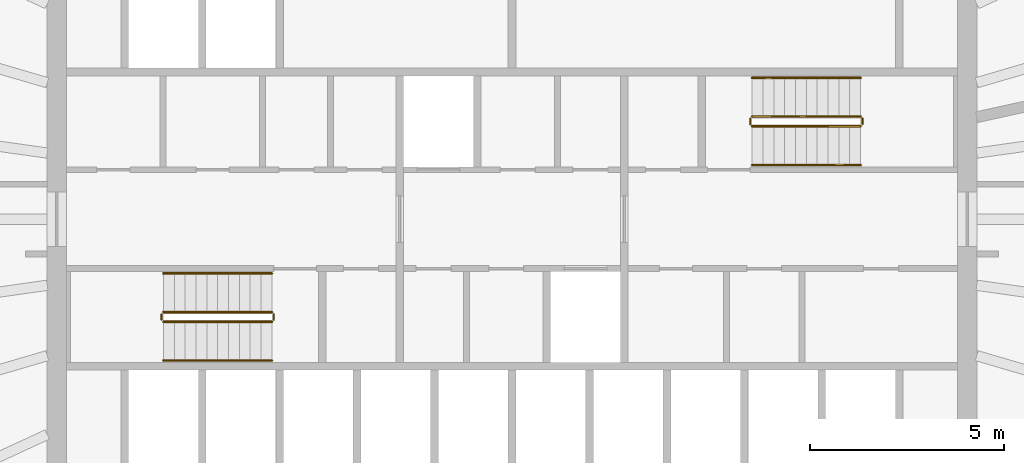
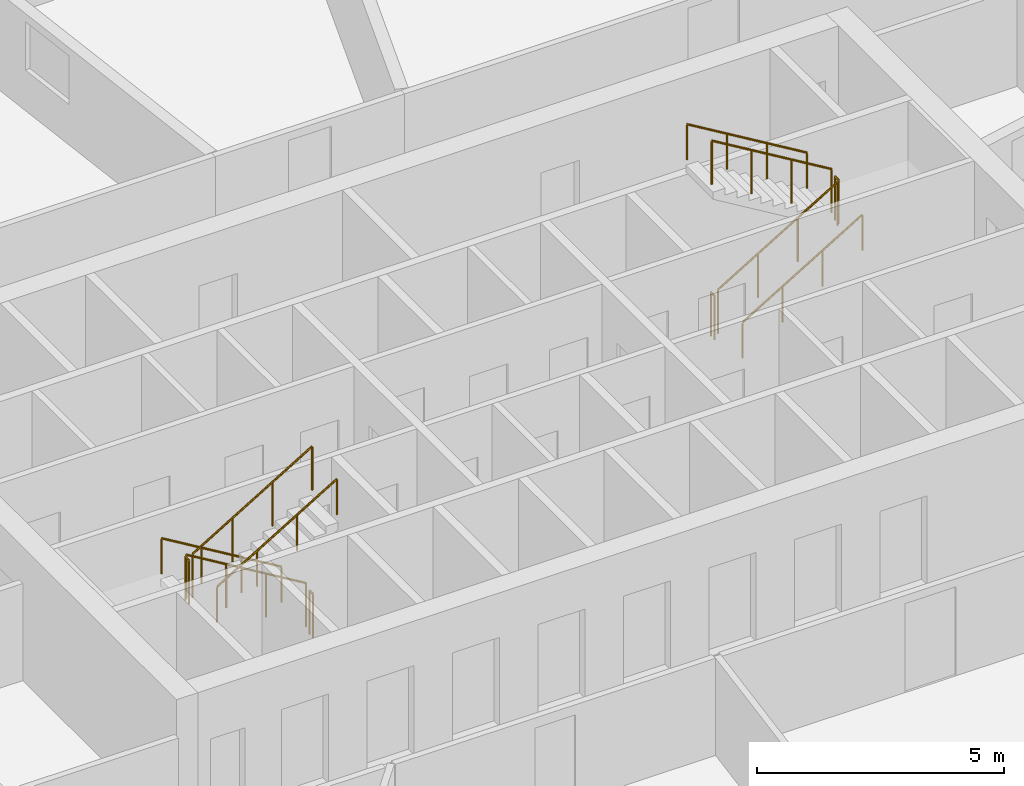
# One storey, part 12 of 12: 12 railings.
"""IFC4 building model written with IfcOpenShell, lengths in metres."""

import ifcopenshell
import ifcopenshell.guid

model = None  # the IFC model being written
_history = None  # IfcOwnerHistory: only IFC2X3 demands one
_inside = {}  # id of a spatial element -> (the spatial element, [elements in it])
_under = {}  # id of a project, library or spatial element -> (it, [spatial elements below it])
_declared = {}  # id of a project -> (the project, [libraries it declares])
_typed = {}  # id of a type object -> (the type object, [elements of that type])
_made_of = {}  # id of a material, layer set ... -> (it, [elements and type objects made of it])


def new_model(schema):
    """Start an empty IFC model of exactly this schema.

    Asked for "IFC4X3", IfcOpenShell would pick the latest addendum, in which some entities
    have other attributes; the version numbers below select the first issue.
    IFC2X3 requires an IfcOwnerHistory on every rooted entity: one is made here for all.
    """
    global model, _history
    if schema == "IFC4X3":
        model = ifcopenshell.file(schema_version=(4, 3, 0, 0))
    else:
        model = ifcopenshell.file(schema=schema)
    _inside.clear()
    _under.clear()
    _declared.clear()
    _typed.clear()
    _made_of.clear()
    _history = None
    if model.schema == "IFC2X3":
        org = make("IfcOrganization", Name="unknown")
        user = make(
            "IfcPersonAndOrganization",
            ThePerson=make("IfcPerson", FamilyName="unknown"),
            TheOrganization=org,
        )
        app = make(
            "IfcApplication",
            ApplicationDeveloper=org,
            Version="unknown",
            ApplicationFullName="unknown",
            ApplicationIdentifier="unknown",
        )
        _history = make(
            "IfcOwnerHistory",
            OwningUser=user,
            OwningApplication=app,
            ChangeAction="ADDED",
            CreationDate=0,
        )
    return model


def make(cls, **values):
    """One entity of the class cls with the attributes given. An attribute that is None is left unset."""
    return model.create_entity(
        cls, **{name: value for name, value in values.items() if value is not None}
    )


def rooted(cls, **values):
    """An entity with a GlobalId (a new one), such as an element, a storey or a relation."""
    return make(cls, GlobalId=ifcopenshell.guid.new(), OwnerHistory=_history, **values)


def si_unit(unit_type, name, prefix=None):
    """IfcSIUnit, for example si_unit("LENGTHUNIT", "METRE", prefix="MILLI")."""
    return make("IfcSIUnit", UnitType=unit_type, Prefix=prefix, Name=name)


def assignment(units):
    """IfcUnitAssignment: the units of a project."""
    return None if units is None else make("IfcUnitAssignment", Units=units)


def point(xyz):
    """IfcCartesianPoint."""
    return None if xyz is None else make("IfcCartesianPoint", Coordinates=xyz)


def direction(xyz):
    """IfcDirection."""
    return None if xyz is None else make("IfcDirection", DirectionRatios=xyz)


def frame(location, z_axis=None, x_axis=None):
    """IfcAxis2Placement3D, a coordinate frame: its origin and axes. An axis left out is left unset."""
    return make(
        "IfcAxis2Placement3D",
        Location=point(location),
        Axis=direction(z_axis),
        RefDirection=direction(x_axis),
    )


def frame_2d(location, x_axis=None):
    """IfcAxis2Placement2D, a coordinate frame in the plane: its origin and x axis."""
    return make(
        "IfcAxis2Placement2D", Location=point(location), RefDirection=direction(x_axis)
    )


def origin():
    """The frame at (0, 0, 0) with its axes left unset."""
    return frame((0.0, 0.0, 0.0))


def origin_2d():
    """The frame at (0, 0) in the plane with its x axis left unset."""
    return frame_2d((0.0, 0.0))


def place(relative_to, where):
    """IfcLocalPlacement: puts the frame where relative to a parent placement (None: the world)."""
    return make(
        "IfcLocalPlacement", PlacementRelTo=relative_to, RelativePlacement=where
    )


def context(
    kind, dimensions, precision=None, world=None, true_north=None, identifier=None
):
    """IfcGeometricRepresentationContext, for example the 3D "Model" context."""
    return make(
        "IfcGeometricRepresentationContext",
        ContextIdentifier=identifier,
        ContextType=kind,
        CoordinateSpaceDimension=dimensions,
        Precision=precision,
        WorldCoordinateSystem=world,
        TrueNorth=true_north,
    )


def subcontext(parent, identifier, kind, view, scale=None):
    """IfcGeometricRepresentationSubContext, for example "Body" below "Model"."""
    return make(
        "IfcGeometricRepresentationSubContext",
        ContextIdentifier=identifier,
        ContextType=kind,
        ParentContext=parent,
        TargetScale=scale,
        TargetView=view,
    )


def project(units=None, contexts=None):
    """IfcProject with its units and contexts."""
    return rooted(
        "IfcProject",
        Name="project",
        RepresentationContexts=contexts,
        UnitsInContext=assignment(units),
    )


def spatial(cls, under=None, at=None, **own):
    """A site, building, storey or space (cls), placed at a placement, below another one or the project."""
    s = rooted(cls, ObjectPlacement=at, **own)
    if under is not None:
        _under.setdefault(under.id(), (under, []))[1].append(s)
    return s


def profile(cls, at=None, kind="AREA", **sizes):
    """A parametric profile (cls). Its sizes go by their IFC names, for example OverallWidth=200.0."""
    return make(cls, ProfileType=kind, Position=at, **sizes)


def circle(**sizes):
    """IfcCircleProfileDef."""
    return profile("IfcCircleProfileDef", **sizes)


def extrude(swept, where, along, depth):
    """IfcExtrudedAreaSolid: the profile swept, set in the frame where, extruded along a direction by depth."""
    return make(
        "IfcExtrudedAreaSolid",
        SweptArea=swept,
        Position=where,
        ExtrudedDirection=direction(along),
        Depth=depth,
    )


def shape(context_of_items, identifier, shape_type, items):
    """IfcShapeRepresentation: the items that make up one representation, for example the "Body"."""
    return make(
        "IfcShapeRepresentation",
        ContextOfItems=context_of_items,
        RepresentationIdentifier=identifier,
        RepresentationType=shape_type,
        Items=items,
    )


def material(Name=None, Category=None):
    """IfcMaterial."""
    return make("IfcMaterial", Name=Name, Category=Category)


def made_of(thing, what):
    """Note that an element or type object is made of a material, layer set ...; save() writes the relation."""
    if what is not None:
        _made_of.setdefault(what.id(), (what, []))[1].append(thing)
    return thing


def type_object(cls, material=None, **own):
    """A type object (cls), such as IfcWallType, which elements share."""
    return made_of(rooted(cls, **own), material)


def element(
    cls,
    number,
    at=None,
    inside=None,
    cuts=None,
    type_object=None,
    material=None,
    context=None,
    identifier="Body",
    shape_type=None,
    held_by="IfcProductDefinitionShape",
    body=None,
    shapes=None,
    **own,
):
    """One element of the class cls, such as IfcWall. Its Tag is "e" and its number.

    at: its placement. inside: the storey or other place that contains it. cuts: it is an
    opening in that element (IfcRelVoidsElement). A single representation is given by context,
    identifier, shape_type and body (its items); several are given by shapes. held_by: the class
    of the entity that holds the representations. save() writes the other relations.
    """
    e = rooted(cls, Tag="e%d" % number, ObjectPlacement=at, **own)
    if body is not None:
        shapes = [shape(context, identifier, shape_type, body)]
    if shapes is not None:
        e.Representation = make(held_by, Representations=shapes)
    if inside is not None:
        _inside.setdefault(inside.id(), (inside, []))[1].append(e)
    if cuts is not None:
        rooted(
            "IfcRelVoidsElement", RelatingBuildingElement=cuts, RelatedOpeningElement=e
        )
    if type_object is not None:
        _typed.setdefault(type_object.id(), (type_object, []))[1].append(e)
    return made_of(e, material)


def aggregate(whole, parts):
    """IfcRelAggregates: a whole, such as a stair, and the parts it consists of."""
    return rooted("IfcRelAggregates", RelatingObject=whole, RelatedObjects=parts)


def save(model, path):
    """Write the relations noted so far, then the file.

    IfcRelAggregates (storeys below a building ...), IfcRelContainedInSpatialStructure (elements
    in a storey), IfcRelDefinesByType, IfcRelAssociatesMaterial and IfcRelDeclares: one each for
    every whole, place, type object, material and project.
    """
    for whole, parts in _under.values():
        aggregate(whole, parts)
    for where, things in _inside.values():
        rooted(
            "IfcRelContainedInSpatialStructure",
            RelatedElements=things,
            RelatingStructure=where,
        )
    for kind, things in _typed.values():
        rooted("IfcRelDefinesByType", RelatedObjects=things, RelatingType=kind)
    for what, things in _made_of.values():
        rooted("IfcRelAssociatesMaterial", RelatedObjects=things, RelatingMaterial=what)
    for by, libraries in _declared.values():
        rooted("IfcRelDeclares", RelatingContext=by, RelatedDefinitions=libraries)
    model.write(path)


model = new_model("IFC4")

# Units and contexts
model_context = context("Model", 3, precision=1e-05, world=origin(), true_north=direction((0.0, 1.0)))
body_context = subcontext(model_context, "Body", "Model", "MODEL_VIEW")
ifc_project = project(units=[si_unit("LENGTHUNIT", "METRE"), si_unit("AREAUNIT", "SQUARE_METRE"), si_unit("VOLUMEUNIT", "CUBIC_METRE"), si_unit("PLANEANGLEUNIT", "RADIAN"), si_unit("MASSUNIT", "GRAM", prefix="KILO")], contexts=[model_context])

# Site, building, storey
site_placement = place(None, origin())
site = spatial("IfcSite", under=ifc_project, at=site_placement, CompositionType="ELEMENT")
building_placement = place(site_placement, origin())
building = spatial("IfcBuilding", under=site, at=building_placement, Name="Siaravel Broadcast Tower", CompositionType="ELEMENT")
storey_placement = place(building_placement, frame((0.0, 0.0, 104.5)))
storey = spatial("IfcBuildingStorey", under=building, at=storey_placement, Name="L24", CompositionType="ELEMENT", Elevation=104.5)

# Railings
ifc_material = material(Name="Stainless steel 316L", Category="steel")
railing_type_1 = type_object("IfcRailingType", Name="Stair guard 1100", PredefinedType="GUARDRAIL", material=ifc_material)
railing_1_placement = place(storey_placement, frame((-6.199951171875, -2.39990234375, 0.168212890625)))
element("IfcRailing", 1, at=railing_1_placement, inside=storey, type_object=railing_type_1, Name="L24 ST-1 stair guard 1", PredefinedType="GUARDRAIL", context=body_context, shape_type="SweptSolid", body=[
    extrude(circle(Radius=0.02392578125, at=origin_2d()), frame((0.0, 0.0, 1.076171875), z_axis=(-0.857242211, 0.0, 0.514913383), x_axis=(0.0, -1.0, 0.0)), (0.0, 0.0, 1.0), 3.266357421875),
    extrude(circle(Radius=0.02099609375, at=origin_2d()), origin(), (0.0, 0.0, 1.0), 1.052001953125),
    extrude(circle(Radius=0.02099609375, at=origin_2d()), frame((-0.933349609375, 0.0, 0.560546875)), (0.0, 0.0, 1.0), 1.052001953125),
    extrude(circle(Radius=0.02099609375, at=origin_2d()), frame((-1.86669921875, 0.0, 1.121337890625)), (0.0, 0.0, 1.0), 1.052001953125),
    extrude(circle(Radius=0.02099609375, at=origin_2d()), frame((-2.800048828125, 0.0, 1.681884765625)), (0.0, 0.0, 1.0), 1.052001953125),
])
railing_2_placement = place(storey_placement, frame((-9.050048828125, -2.449951171875, 1.85009765625)))
element("IfcRailing", 2, at=railing_2_placement, inside=storey, type_object=railing_type_1, Name="L24 ST-1 stair guard 2", PredefinedType="GUARDRAIL", context=body_context, shape_type="SweptSolid", body=[
    extrude(circle(Radius=0.02392578125, at=origin_2d()), frame((0.0, 0.0, 1.076171875), z_axis=(0.0, -1.0, 0.0), x_axis=(1.0, 0.0, 0.0)), (0.0, 0.0, 1.0), 0.150146484375),
    extrude(circle(Radius=0.02099609375, at=origin_2d()), origin(), (0.0, 0.0, 1.0), 1.052001953125),
    extrude(circle(Radius=0.02099609375, at=origin_2d()), frame((0.0, -0.150146484375, 0.0)), (0.0, 0.0, 1.0), 1.052001953125),
])
railing_3_placement = place(storey_placement, frame((-9.0, -2.64990234375, 2.01806640625)))
element("IfcRailing", 3, at=railing_3_placement, inside=storey, type_object=railing_type_1, Name="L24 ST-1 stair guard 3", PredefinedType="GUARDRAIL", context=body_context, shape_type="SweptSolid", body=[
    extrude(circle(Radius=0.02392578125, at=origin_2d()), frame((0.0, 0.0, 1.076171875), z_axis=(0.857242211, 0.0, 0.514913383), x_axis=(0.0, 1.0, 0.0)), (0.0, 0.0, 1.0), 3.266357421875),
    extrude(circle(Radius=0.02099609375, at=origin_2d()), origin(), (0.0, 0.0, 1.0), 1.052001953125),
    extrude(circle(Radius=0.02099609375, at=origin_2d()), frame((0.933349609375, 0.0, 0.560546875)), (0.0, 0.0, 1.0), 1.052001953125),
    extrude(circle(Radius=0.02099609375, at=origin_2d()), frame((1.86669921875, 0.0, 1.121337890625)), (0.0, 0.0, 1.0), 1.052001953125),
    extrude(circle(Radius=0.02099609375, at=origin_2d()), frame((2.800048828125, 0.0, 1.681884765625)), (0.0, 0.0, 1.0), 1.052001953125),
])
railing_4_placement = place(storey_placement, frame((-6.14990234375, -2.449951171875, 0.0)))
element("IfcRailing", 4, at=railing_4_placement, inside=storey, type_object=railing_type_1, Name="L24 ST-1 stair guard 4", PredefinedType="GUARDRAIL", context=body_context, shape_type="SweptSolid", body=[
    extrude(circle(Radius=0.02392578125, at=origin_2d()), frame((0.0, 0.0, 1.076171875), z_axis=(0.0, -1.0, 0.0), x_axis=(1.0, 0.0, 0.0)), (0.0, 0.0, 1.0), 0.150146484375),
    extrude(circle(Radius=0.02099609375, at=origin_2d()), origin(), (0.0, 0.0, 1.0), 1.052001953125),
    extrude(circle(Radius=0.02099609375, at=origin_2d()), frame((0.0, -0.150146484375, 0.0)), (0.0, 0.0, 1.0), 1.052001953125),
])
railing_5_placement = place(storey_placement, frame((6.199951171875, 2.39990234375, 0.168212890625)))
element("IfcRailing", 5, at=railing_5_placement, inside=storey, type_object=railing_type_1, Name="L24 ST-2 stair guard 1", PredefinedType="GUARDRAIL", context=body_context, shape_type="SweptSolid", body=[
    extrude(circle(Radius=0.02392578125, at=origin_2d()), frame((0.0, 0.0, 1.076171875), z_axis=(0.857242211, 0.0, 0.514913383), x_axis=(0.0, 1.0, 0.0)), (0.0, 0.0, 1.0), 3.266357421875),
    extrude(circle(Radius=0.02099609375, at=origin_2d()), origin(), (0.0, 0.0, 1.0), 1.052001953125),
    extrude(circle(Radius=0.02099609375, at=origin_2d()), frame((0.933349609375, 0.0, 0.560546875)), (0.0, 0.0, 1.0), 1.052001953125),
    extrude(circle(Radius=0.02099609375, at=origin_2d()), frame((1.86669921875, 0.0, 1.121337890625)), (0.0, 0.0, 1.0), 1.052001953125),
    extrude(circle(Radius=0.02099609375, at=origin_2d()), frame((2.800048828125, 0.0, 1.681884765625)), (0.0, 0.0, 1.0), 1.052001953125),
])
railing_6_placement = place(storey_placement, frame((9.050048828125, 2.449951171875, 1.85009765625)))
element("IfcRailing", 6, at=railing_6_placement, inside=storey, type_object=railing_type_1, Name="L24 ST-2 stair guard 2", PredefinedType="GUARDRAIL", context=body_context, shape_type="SweptSolid", body=[
    extrude(circle(Radius=0.02392578125, at=origin_2d()), frame((0.0, 0.0, 1.076171875), z_axis=(0.0, 1.0, 0.0), x_axis=(-1.0, 0.0, 0.0)), (0.0, 0.0, 1.0), 0.150146484375),
    extrude(circle(Radius=0.02099609375, at=origin_2d()), origin(), (0.0, 0.0, 1.0), 1.052001953125),
    extrude(circle(Radius=0.02099609375, at=origin_2d()), frame((0.0, 0.150146484375, 0.0)), (0.0, 0.0, 1.0), 1.052001953125),
])
railing_7_placement = place(storey_placement, frame((9.0, 2.64990234375, 2.01806640625)))
element("IfcRailing", 7, at=railing_7_placement, inside=storey, type_object=railing_type_1, Name="L24 ST-2 stair guard 3", PredefinedType="GUARDRAIL", context=body_context, shape_type="SweptSolid", body=[
    extrude(circle(Radius=0.02392578125, at=origin_2d()), frame((0.0, 0.0, 1.076171875), z_axis=(-0.857242211, 0.0, 0.514913383), x_axis=(0.0, -1.0, 0.0)), (0.0, 0.0, 1.0), 3.266357421875),
    extrude(circle(Radius=0.02099609375, at=origin_2d()), origin(), (0.0, 0.0, 1.0), 1.052001953125),
    extrude(circle(Radius=0.02099609375, at=origin_2d()), frame((-0.933349609375, 0.0, 0.560546875)), (0.0, 0.0, 1.0), 1.052001953125),
    extrude(circle(Radius=0.02099609375, at=origin_2d()), frame((-1.86669921875, 0.0, 1.121337890625)), (0.0, 0.0, 1.0), 1.052001953125),
    extrude(circle(Radius=0.02099609375, at=origin_2d()), frame((-2.800048828125, 0.0, 1.681884765625)), (0.0, 0.0, 1.0), 1.052001953125),
])
railing_8_placement = place(storey_placement, frame((6.14990234375, 2.449951171875, 0.0)))
element("IfcRailing", 8, at=railing_8_placement, inside=storey, type_object=railing_type_1, Name="L24 ST-2 stair guard 4", PredefinedType="GUARDRAIL", context=body_context, shape_type="SweptSolid", body=[
    extrude(circle(Radius=0.02392578125, at=origin_2d()), frame((0.0, 0.0, 1.076171875), z_axis=(0.0, 1.0, 0.0), x_axis=(-1.0, 0.0, 0.0)), (0.0, 0.0, 1.0), 0.150146484375),
    extrude(circle(Radius=0.02099609375, at=origin_2d()), origin(), (0.0, 0.0, 1.0), 1.052001953125),
    extrude(circle(Radius=0.02099609375, at=origin_2d()), frame((0.0, 0.150146484375, 0.0)), (0.0, 0.0, 1.0), 1.052001953125),
])
railing_type_2 = type_object("IfcRailingType", Name="Stair handrail 900", PredefinedType="HANDRAIL", material=ifc_material)
railing_9_placement = place(storey_placement, frame((-6.199951171875, -1.39990234375, 0.168212890625)))
element("IfcRailing", 9, at=railing_9_placement, inside=storey, type_object=railing_type_2, Name="L24 ST-1 stair handrail 1", PredefinedType="HANDRAIL", context=body_context, shape_type="SweptSolid", body=[
    extrude(circle(Radius=0.02392578125, at=origin_2d()), frame((0.0, 0.0, 0.8759765625), z_axis=(-0.857242211, 0.0, 0.514913383), x_axis=(0.0, -1.0, 0.0)), (0.0, 0.0, 1.0), 3.266357421875),
    extrude(circle(Radius=0.02099609375, at=origin_2d()), origin(), (0.0, 0.0, 1.0), 0.851806640625),
    extrude(circle(Radius=0.02099609375, at=origin_2d()), frame((-0.933349609375, 0.0, 0.560546875)), (0.0, 0.0, 1.0), 0.851806640625),
    extrude(circle(Radius=0.02099609375, at=origin_2d()), frame((-1.86669921875, 0.0, 1.121337890625)), (0.0, 0.0, 1.0), 0.851806640625),
    extrude(circle(Radius=0.02099609375, at=origin_2d()), frame((-2.800048828125, 0.0, 1.681884765625)), (0.0, 0.0, 1.0), 0.851806640625),
])
for number, where, name in (
    (10, (-9.0, -3.64990234375, 2.01806640625), "L24 ST-1 stair handrail 2"),
    (11, (6.199951171875, 1.39990234375, 0.168212890625), "L24 ST-2 stair handrail 1"),
):
    element("IfcRailing", number, at=place(storey_placement, frame(where)), inside=storey, type_object=railing_type_2, Name=name, PredefinedType="HANDRAIL", context=body_context, shape_type="SweptSolid", body=[
        extrude(circle(Radius=0.02392578125, at=origin_2d()), frame((0.0, 0.0, 0.8759765625), z_axis=(0.857242211, 0.0, 0.514913383), x_axis=(0.0, 1.0, 0.0)), (0.0, 0.0, 1.0), 3.266357421875),
        extrude(circle(Radius=0.02099609375, at=origin_2d()), origin(), (0.0, 0.0, 1.0), 0.851806640625),
        extrude(circle(Radius=0.02099609375, at=origin_2d()), frame((0.933349609375, 0.0, 0.560546875)), (0.0, 0.0, 1.0), 0.851806640625),
        extrude(circle(Radius=0.02099609375, at=origin_2d()), frame((1.86669921875, 0.0, 1.121337890625)), (0.0, 0.0, 1.0), 0.851806640625),
        extrude(circle(Radius=0.02099609375, at=origin_2d()), frame((2.800048828125, 0.0, 1.681884765625)), (0.0, 0.0, 1.0), 0.851806640625),
    ])
railing_10_placement = place(storey_placement, frame((9.0, 3.64990234375, 2.01806640625)))
element("IfcRailing", 12, at=railing_10_placement, inside=storey, type_object=railing_type_2, Name="L24 ST-2 stair handrail 2", PredefinedType="HANDRAIL", context=body_context, shape_type="SweptSolid", body=[
    extrude(circle(Radius=0.02392578125, at=origin_2d()), frame((0.0, 0.0, 0.8759765625), z_axis=(-0.857242211, 0.0, 0.514913383), x_axis=(0.0, -1.0, 0.0)), (0.0, 0.0, 1.0), 3.266357421875),
    extrude(circle(Radius=0.02099609375, at=origin_2d()), origin(), (0.0, 0.0, 1.0), 0.851806640625),
    extrude(circle(Radius=0.02099609375, at=origin_2d()), frame((-0.933349609375, 0.0, 0.560546875)), (0.0, 0.0, 1.0), 0.851806640625),
    extrude(circle(Radius=0.02099609375, at=origin_2d()), frame((-1.86669921875, 0.0, 1.121337890625)), (0.0, 0.0, 1.0), 0.851806640625),
    extrude(circle(Radius=0.02099609375, at=origin_2d()), frame((-2.800048828125, 0.0, 1.681884765625)), (0.0, 0.0, 1.0), 0.851806640625),
])

save(model, "model.ifc")
